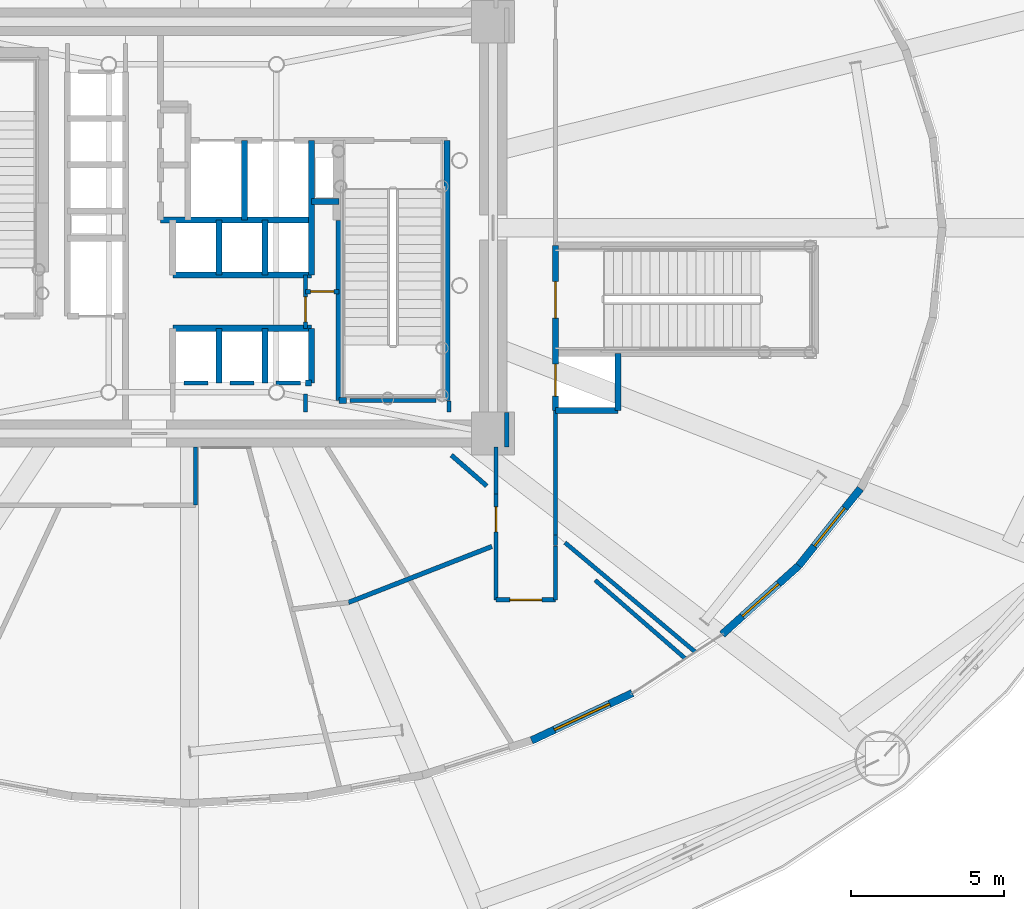
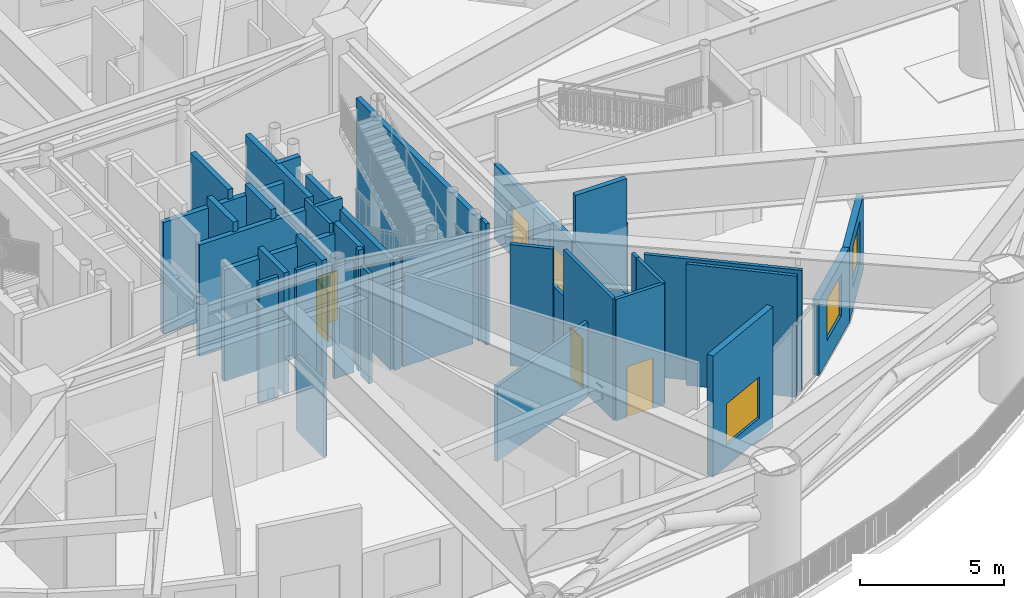
# One storey, part 24 of 39: 41 walls, 6 doors, 3 windows, 9 openings.
"""IFC4 building model written with IfcOpenShell, lengths in metres."""

import ifcopenshell
import ifcopenshell.guid

model = None  # the IFC model being written
_history = None  # IfcOwnerHistory: only IFC2X3 demands one
_inside = {}  # id of a spatial element -> (the spatial element, [elements in it])
_under = {}  # id of a project, library or spatial element -> (it, [spatial elements below it])
_declared = {}  # id of a project -> (the project, [libraries it declares])
_typed = {}  # id of a type object -> (the type object, [elements of that type])
_made_of = {}  # id of a material, layer set ... -> (it, [elements and type objects made of it])


def new_model(schema):
    """Start an empty IFC model of exactly this schema.

    Asked for "IFC4X3", IfcOpenShell would pick the latest addendum, in which some entities
    have other attributes; the version numbers below select the first issue.
    IFC2X3 requires an IfcOwnerHistory on every rooted entity: one is made here for all.
    """
    global model, _history
    if schema == "IFC4X3":
        model = ifcopenshell.file(schema_version=(4, 3, 0, 0))
    else:
        model = ifcopenshell.file(schema=schema)
    _inside.clear()
    _under.clear()
    _declared.clear()
    _typed.clear()
    _made_of.clear()
    _history = None
    if model.schema == "IFC2X3":
        org = make("IfcOrganization", Name="unknown")
        user = make(
            "IfcPersonAndOrganization",
            ThePerson=make("IfcPerson", FamilyName="unknown"),
            TheOrganization=org,
        )
        app = make(
            "IfcApplication",
            ApplicationDeveloper=org,
            Version="unknown",
            ApplicationFullName="unknown",
            ApplicationIdentifier="unknown",
        )
        _history = make(
            "IfcOwnerHistory",
            OwningUser=user,
            OwningApplication=app,
            ChangeAction="ADDED",
            CreationDate=0,
        )
    return model


def make(cls, **values):
    """One entity of the class cls with the attributes given. An attribute that is None is left unset."""
    return model.create_entity(
        cls, **{name: value for name, value in values.items() if value is not None}
    )


def rooted(cls, **values):
    """An entity with a GlobalId (a new one), such as an element, a storey or a relation."""
    return make(cls, GlobalId=ifcopenshell.guid.new(), OwnerHistory=_history, **values)


def si_unit(unit_type, name, prefix=None):
    """IfcSIUnit, for example si_unit("LENGTHUNIT", "METRE", prefix="MILLI")."""
    return make("IfcSIUnit", UnitType=unit_type, Prefix=prefix, Name=name)


def assignment(units):
    """IfcUnitAssignment: the units of a project."""
    return None if units is None else make("IfcUnitAssignment", Units=units)


def point(xyz):
    """IfcCartesianPoint."""
    return None if xyz is None else make("IfcCartesianPoint", Coordinates=xyz)


def direction(xyz):
    """IfcDirection."""
    return None if xyz is None else make("IfcDirection", DirectionRatios=xyz)


def frame(location, z_axis=None, x_axis=None):
    """IfcAxis2Placement3D, a coordinate frame: its origin and axes. An axis left out is left unset."""
    return make(
        "IfcAxis2Placement3D",
        Location=point(location),
        Axis=direction(z_axis),
        RefDirection=direction(x_axis),
    )


def frame_2d(location, x_axis=None):
    """IfcAxis2Placement2D, a coordinate frame in the plane: its origin and x axis."""
    return make(
        "IfcAxis2Placement2D", Location=point(location), RefDirection=direction(x_axis)
    )


def origin():
    """The frame at (0, 0, 0) with its axes left unset."""
    return frame((0.0, 0.0, 0.0))


def origin_2d():
    """The frame at (0, 0) in the plane with its x axis left unset."""
    return frame_2d((0.0, 0.0))


def place(relative_to, where):
    """IfcLocalPlacement: puts the frame where relative to a parent placement (None: the world)."""
    return make(
        "IfcLocalPlacement", PlacementRelTo=relative_to, RelativePlacement=where
    )


def context(
    kind, dimensions, precision=None, world=None, true_north=None, identifier=None
):
    """IfcGeometricRepresentationContext, for example the 3D "Model" context."""
    return make(
        "IfcGeometricRepresentationContext",
        ContextIdentifier=identifier,
        ContextType=kind,
        CoordinateSpaceDimension=dimensions,
        Precision=precision,
        WorldCoordinateSystem=world,
        TrueNorth=true_north,
    )


def subcontext(parent, identifier, kind, view, scale=None):
    """IfcGeometricRepresentationSubContext, for example "Body" below "Model"."""
    return make(
        "IfcGeometricRepresentationSubContext",
        ContextIdentifier=identifier,
        ContextType=kind,
        ParentContext=parent,
        TargetScale=scale,
        TargetView=view,
    )


def project(units=None, contexts=None):
    """IfcProject with its units and contexts."""
    return rooted(
        "IfcProject",
        Name="project",
        RepresentationContexts=contexts,
        UnitsInContext=assignment(units),
    )


def spatial(cls, under=None, at=None, **own):
    """A site, building, storey or space (cls), placed at a placement, below another one or the project."""
    s = rooted(cls, ObjectPlacement=at, **own)
    if under is not None:
        _under.setdefault(under.id(), (under, []))[1].append(s)
    return s


def profile(cls, at=None, kind="AREA", **sizes):
    """A parametric profile (cls). Its sizes go by their IFC names, for example OverallWidth=200.0."""
    return make(cls, ProfileType=kind, Position=at, **sizes)


def rectangle(**sizes):
    """IfcRectangleProfileDef."""
    return profile("IfcRectangleProfileDef", **sizes)


def extrude(swept, where, along, depth):
    """IfcExtrudedAreaSolid: the profile swept, set in the frame where, extruded along a direction by depth."""
    return make(
        "IfcExtrudedAreaSolid",
        SweptArea=swept,
        Position=where,
        ExtrudedDirection=direction(along),
        Depth=depth,
    )


def shape(context_of_items, identifier, shape_type, items):
    """IfcShapeRepresentation: the items that make up one representation, for example the "Body"."""
    return make(
        "IfcShapeRepresentation",
        ContextOfItems=context_of_items,
        RepresentationIdentifier=identifier,
        RepresentationType=shape_type,
        Items=items,
    )


def source(mapping_origin, context_of_items, identifier, shape_type, items):
    """IfcRepresentationMap: a shape defined once, which mapped items show again and again."""
    return make(
        "IfcRepresentationMap",
        MappingOrigin=mapping_origin,
        MappedRepresentation=shape(context_of_items, identifier, shape_type, items),
    )


def transform(
    local_origin,
    x_axis=None,
    y_axis=None,
    z_axis=None,
    scale=None,
    scale2=None,
    scale3=None,
    uniform=True,
):
    """IfcCartesianTransformationOperator3D, or its non-uniform kind. x_axis, y_axis, z_axis: its Axis1, 2, 3."""
    if uniform:
        return make(
            "IfcCartesianTransformationOperator3D",
            Axis1=direction(x_axis),
            Axis2=direction(y_axis),
            LocalOrigin=point(local_origin),
            Scale=scale,
            Axis3=direction(z_axis),
        )
    return make(
        "IfcCartesianTransformationOperator3DnonUniform",
        Axis1=direction(x_axis),
        Axis2=direction(y_axis),
        LocalOrigin=point(local_origin),
        Scale=scale,
        Axis3=direction(z_axis),
        Scale2=scale2,
        Scale3=scale3,
    )


def mapped(mapping_source, mapping_target):
    """IfcMappedItem: shows the shape of a source again, moved by a transform."""
    return make(
        "IfcMappedItem", MappingSource=mapping_source, MappingTarget=mapping_target
    )


def material(Name=None, Category=None):
    """IfcMaterial."""
    return make("IfcMaterial", Name=Name, Category=Category)


def layer(
    of_material, thickness, ventilated=None, Name=None, Category=None, Priority=None
):
    """IfcMaterialLayer: one layer of a wall or slab, of a material (None: an air gap)."""
    return make(
        "IfcMaterialLayer",
        Material=of_material,
        LayerThickness=thickness,
        IsVentilated=ventilated,
        Name=Name,
        Category=Category,
        Priority=Priority,
    )


def layer_set(layers, Name=None):
    """IfcMaterialLayerSet."""
    return make("IfcMaterialLayerSet", MaterialLayers=layers, LayerSetName=Name)


def made_of(thing, what):
    """Note that an element or type object is made of a material, layer set ...; save() writes the relation."""
    if what is not None:
        _made_of.setdefault(what.id(), (what, []))[1].append(thing)
    return thing


def type_object(cls, material=None, **own):
    """A type object (cls), such as IfcWallType, which elements share."""
    return made_of(rooted(cls, **own), material)


def element(
    cls,
    number,
    at=None,
    inside=None,
    cuts=None,
    type_object=None,
    material=None,
    context=None,
    identifier="Body",
    shape_type=None,
    held_by="IfcProductDefinitionShape",
    body=None,
    shapes=None,
    **own,
):
    """One element of the class cls, such as IfcWall. Its Tag is "e" and its number.

    at: its placement. inside: the storey or other place that contains it. cuts: it is an
    opening in that element (IfcRelVoidsElement). A single representation is given by context,
    identifier, shape_type and body (its items); several are given by shapes. held_by: the class
    of the entity that holds the representations. save() writes the other relations.
    """
    e = rooted(cls, Tag="e%d" % number, ObjectPlacement=at, **own)
    if body is not None:
        shapes = [shape(context, identifier, shape_type, body)]
    if shapes is not None:
        e.Representation = make(held_by, Representations=shapes)
    if inside is not None:
        _inside.setdefault(inside.id(), (inside, []))[1].append(e)
    if cuts is not None:
        rooted(
            "IfcRelVoidsElement", RelatingBuildingElement=cuts, RelatedOpeningElement=e
        )
    if type_object is not None:
        _typed.setdefault(type_object.id(), (type_object, []))[1].append(e)
    return made_of(e, material)


def fill(opening, filler):
    """IfcRelFillsElement: the door or window that sits in an opening."""
    return rooted(
        "IfcRelFillsElement",
        RelatingOpeningElement=opening,
        RelatedBuildingElement=filler,
    )


def aggregate(whole, parts):
    """IfcRelAggregates: a whole, such as a stair, and the parts it consists of."""
    return rooted("IfcRelAggregates", RelatingObject=whole, RelatedObjects=parts)


def save(model, path):
    """Write the relations noted so far, then the file.

    IfcRelAggregates (storeys below a building ...), IfcRelContainedInSpatialStructure (elements
    in a storey), IfcRelDefinesByType, IfcRelAssociatesMaterial and IfcRelDeclares: one each for
    every whole, place, type object, material and project.
    """
    for whole, parts in _under.values():
        aggregate(whole, parts)
    for where, things in _inside.values():
        rooted(
            "IfcRelContainedInSpatialStructure",
            RelatedElements=things,
            RelatingStructure=where,
        )
    for kind, things in _typed.values():
        rooted("IfcRelDefinesByType", RelatedObjects=things, RelatingType=kind)
    for what, things in _made_of.values():
        rooted("IfcRelAssociatesMaterial", RelatedObjects=things, RelatingMaterial=what)
    for by, libraries in _declared.values():
        rooted("IfcRelDeclares", RelatingContext=by, RelatedDefinitions=libraries)
    model.write(path)


model = new_model("IFC4")

# Units and contexts
model_context = context("Model", 3, precision=1e-05, world=origin(), true_north=direction((0.0, 1.0)))
body_context = subcontext(model_context, "Body", "Model", "MODEL_VIEW")
ifc_project = project(units=[si_unit("LENGTHUNIT", "METRE"), si_unit("AREAUNIT", "SQUARE_METRE"), si_unit("VOLUMEUNIT", "CUBIC_METRE"), si_unit("PLANEANGLEUNIT", "RADIAN"), si_unit("MASSUNIT", "GRAM", prefix="KILO")], contexts=[model_context])

# Site, building, storey
site_placement = place(None, origin())
site = spatial("IfcSite", under=ifc_project, at=site_placement, CompositionType="ELEMENT")
building_placement = place(site_placement, origin())
building = spatial("IfcBuilding", under=site, at=building_placement, Name="Linh Dai School and Residence Tower", CompositionType="ELEMENT")
storey_placement = place(building_placement, frame((0.0, 0.0, 27.0)))
storey = spatial("IfcBuildingStorey", under=building, at=storey_placement, Name="L06", CompositionType="ELEMENT", Elevation=27.0)

# Wall, opening, window
ifc_material_1 = material(Name="Precast Concrete B45 (C35/45)", Category="concrete")
ifc_layer_1 = layer(ifc_material_1, 0.25)
ifc_layer_set_1 = layer_set([ifc_layer_1], Name="Precast Concrete B45 (C35/45)")
wall_type_1 = type_object("IfcWallType", Name="EW-TC-250", PredefinedType="SOLIDWALL", material=ifc_layer_set_1)
wall_1_placement = place(storey_placement, frame((50.516357421875, 11.73779296875, 0.0), z_axis=(0.0, 0.0, 1.0), x_axis=(-0.905208052634, -0.424968682901, 0.0)))
wall_1 = element("IfcWall", 1, at=wall_1_placement, inside=storey, type_object=wall_type_1, Name="L06 Terracotta Exterior Wall 34", PredefinedType="SOLIDWALL", context=body_context, shape_type="SweptSolid", body=[
    extrude(rectangle(XDim=3.648681640625, YDim=0.25, at=frame_2d((1.82421875, 0.0))), origin(), (0.0, 0.0, 1.0), 5.14990234375),
])
opening_1_placement = place(wall_1_placement, frame((0.824462890625, 0.0, 0.89990234375)))
opening_1 = element("IfcOpeningElement", 2, at=opening_1_placement, cuts=wall_1, Name="Opening W1", PredefinedType="OPENING", context=body_context, shape_type="SweptSolid", body=[
    extrude(rectangle(XDim=2.0, YDim=1.75, at=origin_2d()), frame((1.0, 0.135009765625, 0.875), z_axis=(0.0, -1.0, 0.0), x_axis=(1.0, 0.0, 0.0)), (0.0, 0.0, 1.0), 0.27001953125),
])
ifc_material_2 = material(Name="Double Low-E Insulated Glazing", Category="glass")
window_type_1 = type_object("IfcWindowType", Name="WN-RES-2000x1750", PartitioningType="DOUBLE_PANEL_VERTICAL", PredefinedType="WINDOW", material=ifc_material_2)
shared_shape_1 = source(origin(), body_context, "Body", "SweptSolid", [
    extrude(rectangle(XDim=2.0, YDim=1.75, at=origin_2d()), frame((1.0, 0.030029296875, 0.875), z_axis=(0.0, -1.0, 0.0), x_axis=(1.0, 0.0, 0.0)), (0.0, 0.0, 1.0), 0.06005859375),
])
window_1_placement = place(opening_1_placement, origin())
window_1 = element("IfcWindow", 3, at=window_1_placement, inside=storey, type_object=window_type_1, Name="L06 Exterior Window 34.1", OverallHeight=1.75, OverallWidth=2.0, PartitioningType="DOUBLE_PANEL_VERTICAL", PredefinedType="WINDOW", context=body_context, shape_type="MappedRepresentation", body=[
    mapped(shared_shape_1, transform((0.0, 0.0, 0.0), x_axis=(1.0, 0.0, 0.0), y_axis=(0.0, 1.0, 0.0), z_axis=(0.0, 0.0, 1.0), scale=1.0)),
])
fill(opening_1, window_1)

wall_2_placement = place(storey_placement, frame((55.972900390625, 15.91796875, 0.0), z_axis=(0.0, 0.0, 1.0), x_axis=(-0.744436778288, -0.66769295573, 0.0)))
wall_2 = element("IfcWall", 4, at=wall_2_placement, inside=storey, type_object=wall_type_1, Name="L06 Terracotta Exterior Wall 36", PredefinedType="SOLIDWALL", context=body_context, shape_type="SweptSolid", body=[
    extrude(rectangle(XDim=3.375244140625, YDim=0.25, at=frame_2d((1.6875, 0.0))), origin(), (0.0, 0.0, 1.0), 3.18505859375),
])
opening_2_placement = place(wall_2_placement, frame((0.887939453125, 0.0, 0.89990234375)))
opening_2 = element("IfcOpeningElement", 5, at=opening_2_placement, cuts=wall_2, Name="Opening W2", PredefinedType="OPENING", context=body_context, shape_type="SweptSolid", body=[
    extrude(rectangle(XDim=1.60009765625, YDim=1.75, at=origin_2d()), frame((0.800048828125, 0.135009765625, 0.875), z_axis=(0.0, -1.0, 0.0), x_axis=(1.0, 0.0, 0.0)), (0.0, 0.0, 1.0), 0.27001953125),
])
window_type_2 = type_object("IfcWindowType", Name="WN-RES-1600x1750", PartitioningType="DOUBLE_PANEL_VERTICAL", PredefinedType="WINDOW", material=ifc_material_2)
shared_shape_2 = source(origin(), body_context, "Body", "SweptSolid", [
    extrude(rectangle(XDim=1.60009765625, YDim=1.75, at=origin_2d()), frame((0.800048828125, 0.030029296875, 0.875), z_axis=(0.0, -1.0, 0.0), x_axis=(1.0, 0.0, 0.0)), (0.0, 0.0, 1.0), 0.06005859375),
])
window_2_placement = place(opening_2_placement, origin())
window_2 = element("IfcWindow", 6, at=window_2_placement, inside=storey, type_object=window_type_2, Name="L06 Exterior Window 36.1", OverallHeight=1.75, OverallWidth=1.60009765625, PartitioningType="DOUBLE_PANEL_VERTICAL", PredefinedType="WINDOW", context=body_context, shape_type="MappedRepresentation", body=[
    mapped(shared_shape_2, transform((0.0, 0.0, 0.0), x_axis=(1.0, 0.0, 0.0), y_axis=(0.0, 1.0, 0.0), z_axis=(0.0, 0.0, 1.0), scale=1.0)),
])
fill(opening_2, window_2)

wall_3_placement = place(storey_placement, frame((57.992919921875, 18.443359375, 0.0), z_axis=(0.0, 0.0, 1.0), x_axis=(-0.624639806262, -0.780912999272, 0.0)))
wall_3 = element("IfcWall", 7, at=wall_3_placement, inside=storey, type_object=wall_type_1, Name="L06 Terracotta Exterior Wall 37", PredefinedType="SOLIDWALL", context=body_context, shape_type="SweptSolid", body=[
    extrude(rectangle(XDim=3.23388671875, YDim=0.25, at=frame_2d((1.616943359375, 0.0))), origin(), (0.0, 0.0, 1.0), 3.18505859375),
])
opening_3_placement = place(wall_3_placement, frame((0.817138671875, 0.0, 0.89990234375)))
opening_3 = element("IfcOpeningElement", 8, at=opening_3_placement, cuts=wall_3, Name="Opening W2", PredefinedType="OPENING", context=body_context, shape_type="SweptSolid", body=[
    extrude(rectangle(XDim=1.60009765625, YDim=1.75, at=origin_2d()), frame((0.800048828125, 0.135009765625, 0.875), z_axis=(0.0, -1.0, 0.0), x_axis=(1.0, 0.0, 0.0)), (0.0, 0.0, 1.0), 0.27001953125),
])
window_3_placement = place(opening_3_placement, origin())
window_3 = element("IfcWindow", 9, at=window_3_placement, inside=storey, type_object=window_type_2, Name="L06 Exterior Window 37.1", OverallHeight=1.75, OverallWidth=1.60009765625, PartitioningType="DOUBLE_PANEL_VERTICAL", PredefinedType="WINDOW", context=body_context, shape_type="MappedRepresentation", body=[
    mapped(shared_shape_2, transform((0.0, 0.0, 0.0), x_axis=(1.0, 0.0, 0.0), y_axis=(0.0, 1.0, 0.0), z_axis=(0.0, 0.0, 1.0), scale=1.0)),
])
fill(opening_3, window_3)

# Wall
ifc_material_3 = material(Name="Autoclaved Aerated Concrete Blockwork", Category="masonry")
ifc_layer_2 = layer(ifc_material_3, 0.135009765625)
ifc_layer_set_2 = layer_set([ifc_layer_2], Name="Autoclaved Aerated Concrete Blockwork")
wall_type_2 = type_object("IfcWallType", Name="IW-CORR-135-EI90", PredefinedType="PARTITIONING", material=ifc_layer_set_2)
wall_4_placement = place(storey_placement, frame((36.199951171875, 17.89990234375, 0.0), z_axis=(0.0, 0.0, 1.0), x_axis=(0.0, 1.0, 0.0)))
element("IfcWall", 10, at=wall_4_placement, inside=storey, type_object=wall_type_2, Name="L06 Interior Partition Wall 038", PredefinedType="PARTITIONING", context=body_context, shape_type="SweptSolid", body=[
    extrude(rectangle(XDim=1.900146484375, YDim=0.135009765625, at=frame_2d((0.9501953125, 0.0))), origin(), (0.0, 0.0, 1.0), 3.18505859375),
])

# Wall, opening, door
wall_5_placement = place(storey_placement, frame((39.800048828125, 23.699951171875, 0.0), z_axis=(0.0, 0.0, 1.0), x_axis=(0.0, 1.0, 0.0)))
wall_5 = element("IfcWall", 11, at=wall_5_placement, inside=storey, type_object=wall_type_2, Name="L06 Interior Partition Wall 047", PredefinedType="PARTITIONING", context=body_context, shape_type="SweptSolid", body=[
    extrude(rectangle(XDim=1.75, YDim=0.135009765625, at=frame_2d((0.875, 0.0))), origin(), (0.0, 0.0, 1.0), 5.14990234375),
])
opening_4_placement = place(wall_5_placement, frame((0.2099609375, 0.0, 0.0)))
opening_4 = element("IfcOpeningElement", 12, at=opening_4_placement, cuts=wall_5, Name="Opening D06", PredefinedType="OPENING", context=body_context, shape_type="SweptSolid", body=[
    extrude(rectangle(XDim=0.820068359375, YDim=2.10009765625, at=origin_2d()), frame((0.41015625, 0.07763671875, 1.050048828125), z_axis=(0.0, -1.0, 0.0), x_axis=(1.0, 0.0, 0.0)), (0.0, 0.0, 1.0), 0.155029296875),
])
ifc_material_4 = material(Name="Moisture-Resistant Timber Bathroom Door", Category="wood")
door_type_1 = type_object("IfcDoorType", Name="DR-WET-820x2100", OperationType="NOTDEFINED", PredefinedType="DOOR", material=ifc_material_4)
shared_shape_3 = source(origin(), body_context, "Body", "SweptSolid", [
    extrude(rectangle(XDim=0.820068359375, YDim=2.10009765625, at=origin_2d()), frame((0.41015625, 0.02490234375, 1.050048828125), z_axis=(0.0, -1.0, 0.0), x_axis=(1.0, 0.0, 0.0)), (0.0, 0.0, 1.0), 0.050048828125),
])
door_1_placement = place(opening_4_placement, origin())
door_1 = element("IfcDoor", 13, at=door_1_placement, inside=storey, type_object=door_type_1, Name="L06 SE Metering Closet Door", OperationType="SINGLE_SWING_LEFT", OverallHeight=2.10009765625, OverallWidth=0.820068359375, PredefinedType="DOOR", context=body_context, shape_type="MappedRepresentation", body=[
    mapped(shared_shape_3, transform((0.0, 0.0, 0.0), x_axis=(1.0, 0.0, 0.0), y_axis=(0.0, 1.0, 0.0), z_axis=(0.0, 0.0, 1.0), scale=1.0)),
])
fill(opening_4, door_1)

wall_6_placement = place(storey_placement, frame((46.050048828125, 14.800048828125, 0.0), z_axis=(0.0, 0.0, 1.0), x_axis=(0.0, 1.0, 0.0)))
wall_6 = element("IfcWall", 14, at=wall_6_placement, inside=storey, type_object=wall_type_2, Name="L06 Interior Partition Wall 058", PredefinedType="PARTITIONING", context=body_context, shape_type="SweptSolid", body=[
    extrude(rectangle(XDim=3.463623046875, YDim=0.135009765625, at=frame_2d((1.73193359375, 0.0))), origin(), (0.0, 0.0, 1.0), 5.14990234375),
])
opening_5_placement = place(wall_6_placement, frame((2.228271484375, 0.0, 0.0)))
opening_5 = element("IfcOpeningElement", 15, at=opening_5_placement, cuts=wall_6, Name="Opening D06", PredefinedType="OPENING", context=body_context, shape_type="SweptSolid", body=[
    extrude(rectangle(XDim=0.820068359375, YDim=2.10009765625, at=origin_2d()), frame((0.41015625, 0.07763671875, 1.050048828125), z_axis=(0.0, -1.0, 0.0), x_axis=(1.0, 0.0, 0.0)), (0.0, 0.0, 1.0), 0.155029296875),
])
door_2_placement = place(opening_5_placement, origin())
door_2 = element("IfcDoor", 16, at=door_2_placement, inside=storey, type_object=door_type_1, Name="L06 Pavilion Girls WC Door", OperationType="SINGLE_SWING_RIGHT", OverallHeight=2.10009765625, OverallWidth=0.820068359375, PredefinedType="DOOR", context=body_context, shape_type="MappedRepresentation", body=[
    mapped(shared_shape_3, transform((0.0, 0.0, 0.0), x_axis=(1.0, 0.0, 0.0), y_axis=(0.0, 1.0, 0.0), z_axis=(0.0, 0.0, 1.0), scale=1.0)),
])
fill(opening_5, door_2)

wall_7_placement = place(storey_placement, frame((46.050048828125, 14.800048828125, 0.0), z_axis=(0.0, 0.0, 1.0), x_axis=(1.0, 0.0, 0.0)))
wall_7 = element("IfcWall", 17, at=wall_7_placement, inside=storey, type_object=wall_type_2, Name="L06 Interior Partition Wall 059", PredefinedType="PARTITIONING", context=body_context, shape_type="SweptSolid", body=[
    extrude(rectangle(XDim=1.949951171875, YDim=0.135009765625, at=frame_2d((0.97509765625, 0.0))), origin(), (0.0, 0.0, 1.0), 5.14990234375),
])
opening_6_placement = place(wall_7_placement, frame((0.449951171875, 0.0, 0.0)))
opening_6 = element("IfcOpeningElement", 18, at=opening_6_placement, cuts=wall_7, Name="Opening D04", PredefinedType="OPENING", context=body_context, shape_type="SweptSolid", body=[
    extrude(rectangle(XDim=1.050048828125, YDim=2.14990234375, at=origin_2d()), frame((0.52490234375, 0.07763671875, 1.074951171875), z_axis=(0.0, -1.0, 0.0), x_axis=(1.0, 0.0, 0.0)), (0.0, 0.0, 1.0), 0.155029296875),
])
ifc_material_5 = material(Name="Acoustic Vision-Panel Timber Classroom Door", Category="wood")
door_type_2 = type_object("IfcDoorType", Name="DR-SCH-1050x2150-FD60S", OperationType="NOTDEFINED", PredefinedType="DOOR", material=ifc_material_5)
shared_shape_4 = source(origin(), body_context, "Body", "SweptSolid", [
    extrude(rectangle(XDim=1.050048828125, YDim=2.14990234375, at=origin_2d()), frame((0.52490234375, 0.02490234375, 1.074951171875), z_axis=(0.0, -1.0, 0.0), x_axis=(1.0, 0.0, 0.0)), (0.0, 0.0, 1.0), 0.050048828125),
])
door_3_placement = place(opening_6_placement, origin())
door_3 = element("IfcDoor", 19, at=door_3_placement, inside=storey, type_object=door_type_2, Name="L06 Resource Study Room GWC Door", OperationType="SINGLE_SWING_LEFT", OverallHeight=2.14990234375, OverallWidth=1.050048828125, PredefinedType="DOOR", context=body_context, shape_type="MappedRepresentation", body=[
    mapped(shared_shape_4, transform((0.0, 0.0, 0.0), x_axis=(1.0, 0.0, 0.0), y_axis=(0.0, 1.0, 0.0), z_axis=(0.0, 0.0, 1.0), scale=1.0)),
])
fill(opening_6, door_3)

# Walls
wall_8_placement = place(storey_placement, frame((48.0, 14.800048828125, 0.0), z_axis=(0.0, 0.0, 1.0), x_axis=(0.0, 1.0, 0.0)))
element("IfcWall", 20, at=wall_8_placement, inside=storey, type_object=wall_type_2, Name="L06 Interior Partition Wall 061", PredefinedType="PARTITIONING", context=body_context, shape_type="SweptSolid", body=[
    extrude(rectangle(XDim=1.7685546875, YDim=0.135009765625, at=frame_2d((0.88427734375, 0.0))), origin(), (0.0, 0.0, 1.0), 5.14990234375),
])
wall_9_placement = place(storey_placement, frame((48.0, 16.930908203125, 0.0), z_axis=(0.0, 0.0, 1.0), x_axis=(0.0, 1.0, 0.0)))
element("IfcWall", 21, at=wall_9_placement, inside=storey, type_object=wall_type_2, Name="L06 Interior Partition Wall 062", PredefinedType="PARTITIONING", context=body_context, shape_type="SweptSolid", body=[
    extrude(rectangle(XDim=4.069091796875, YDim=0.135009765625, at=frame_2d((2.03466796875, 0.0))), origin(), (0.0, 0.0, 1.0), 3.18505859375),
])
wall_10_placement = place(storey_placement, frame((44.080078125, 21.330078125, 0.0), z_axis=(0.0, 0.0, 1.0), x_axis=(-1.0, 0.0, 0.0)))
element("IfcWall", 22, at=wall_10_placement, inside=storey, type_object=wall_type_2, Name="L06 Interior Partition Wall 070", PredefinedType="PARTITIONING", context=body_context, shape_type="SweptSolid", body=[
    extrude(rectangle(XDim=2.820068359375, YDim=0.135009765625, at=frame_2d((1.41015625, 0.0))), origin(), (0.0, 0.0, 1.0), 4.68505859375),
])
wall_11_placement = place(storey_placement, frame((36.60009765625, 21.89990234375, 0.0), z_axis=(0.0, 0.0, 1.0), x_axis=(-1.0, 0.0, 0.0)))
element("IfcWall", 23, at=wall_11_placement, inside=storey, type_object=wall_type_2, Name="L06 Interior Partition Wall 071", PredefinedType="PARTITIONING", context=body_context, shape_type="SweptSolid", body=[
    extrude(rectangle(XDim=0.7900390625, YDim=0.135009765625, at=frame_2d((0.39501953125, 0.0))), origin(), (0.0, 0.0, 1.0), 5.14990234375),
])
wall_12_placement = place(storey_placement, frame((38.1201171875, 21.89990234375, 0.0), z_axis=(0.0, 0.0, 1.0), x_axis=(-1.0, 0.0, 0.0)))
element("IfcWall", 24, at=wall_12_placement, inside=storey, type_object=wall_type_2, Name="L06 Interior Partition Wall 072", PredefinedType="PARTITIONING", context=body_context, shape_type="SweptSolid", body=[
    extrude(rectangle(XDim=0.800048828125, YDim=0.135009765625, at=frame_2d((0.39990234375, 0.0))), origin(), (0.0, 0.0, 1.0), 5.14990234375),
])
wall_13_placement = place(storey_placement, frame((39.639892578125, 21.89990234375, 0.0), z_axis=(0.0, 0.0, 1.0), x_axis=(-1.0, 0.0, 0.0)))
element("IfcWall", 25, at=wall_13_placement, inside=storey, type_object=wall_type_2, Name="L06 Interior Partition Wall 073", PredefinedType="PARTITIONING", context=body_context, shape_type="SweptSolid", body=[
    extrude(rectangle(XDim=0.7998046875, YDim=0.135009765625, at=frame_2d((0.39990234375, 0.0))), origin(), (0.0, 0.0, 1.0), 4.735107421875),
])
wall_14_placement = place(storey_placement, frame((39.800048828125, 20.9599609375, 0.0), z_axis=(0.0, 0.0, 1.0), x_axis=(0.0, 1.0, 0.0)))
element("IfcWall", 26, at=wall_14_placement, inside=storey, type_object=wall_type_2, Name="L06 Interior Partition Wall 075", PredefinedType="PARTITIONING", context=body_context, shape_type="SweptSolid", body=[
    extrude(rectangle(XDim=0.580078125, YDim=0.135009765625, at=frame_2d((0.2900390625, 0.0))), origin(), (0.0, 0.0, 1.0), 4.68505859375),
])
wall_15_placement = place(storey_placement, frame((44.5, 20.9599609375, 0.0), z_axis=(0.0, 0.0, 1.0), x_axis=(0.0, 1.0, 0.0)))
element("IfcWall", 27, at=wall_15_placement, inside=storey, type_object=wall_type_2, Name="L06 Interior Partition Wall 077", PredefinedType="PARTITIONING", context=body_context, shape_type="SweptSolid", body=[
    extrude(rectangle(XDim=0.360107421875, YDim=0.135009765625, at=frame_2d((0.18017578125, 0.0))), origin(), (0.0, 0.0, 1.0), 5.14990234375),
])
wall_16_placement = place(storey_placement, frame((48.0, 16.9208984375, 0.0), z_axis=(0.0, 0.0, 1.0), x_axis=(0.0, -1.0, 0.0)))
element("IfcWall", 28, at=wall_16_placement, inside=storey, type_object=wall_type_2, Name="L06 Interior Partition Wall 080", PredefinedType="PARTITIONING", context=body_context, shape_type="SweptSolid", body=[
    extrude(rectangle(XDim=0.34228515625, YDim=0.135009765625, at=frame_2d((0.171142578125, 0.0))), origin(), (0.0, 0.0, 1.0), 5.14990234375),
])
wall_17_placement = place(storey_placement, frame((46.050048828125, 18.273681640625, 0.0), z_axis=(0.0, 0.0, 1.0), x_axis=(0.0, 1.0, 0.0)))
element("IfcWall", 29, at=wall_17_placement, inside=storey, type_object=wall_type_2, Name="L06 Interior Partition Wall 081", PredefinedType="PARTITIONING", context=body_context, shape_type="SweptSolid", body=[
    extrude(rectangle(XDim=1.5263671875, YDim=0.135009765625, at=frame_2d((0.76318359375, 0.0))), origin(), (0.0, 0.0, 1.0), 3.18505859375),
])
wall_18_placement = place(storey_placement, frame((46.39990234375, 19.800048828125, 0.0), z_axis=(0.0, 0.0, 1.0), x_axis=(0.0, 1.0, 0.0)))
element("IfcWall", 30, at=wall_18_placement, inside=storey, type_object=wall_type_2, Name="L06 Interior Partition Wall 082", PredefinedType="PARTITIONING", context=body_context, shape_type="SweptSolid", body=[
    extrude(rectangle(XDim=1.139892578125, YDim=0.135009765625, at=frame_2d((0.56982421875, 0.0))), origin(), (0.0, 0.0, 1.0), 5.14990234375),
])
wall_19_placement = place(storey_placement, frame((52.583740234375, 13.084716796875, 0.0), z_axis=(0.0, 0.0, 1.0), x_axis=(-0.766040782865, 0.642791971782, 0.0)))
element("IfcWall", 31, at=wall_19_placement, inside=storey, type_object=wall_type_2, Name="L06 Interior Partition Wall 097", PredefinedType="PARTITIONING", context=body_context, shape_type="SweptSolid", body=[
    extrude(rectangle(XDim=5.58203125, YDim=0.135009765625, at=frame_2d((2.791015625, 0.0))), origin(), (0.0, 0.0, 1.0), 5.14990234375),
])
wall_20_placement = place(storey_placement, frame((49.29736328125, 15.440673828125, 0.0), z_axis=(0.0, 0.0, 1.0), x_axis=(0.754722190452, -0.656044522299, 0.0)))
element("IfcWall", 32, at=wall_20_placement, inside=storey, type_object=wall_type_2, Name="L06 Interior Partition Wall 099", PredefinedType="PARTITIONING", context=body_context, shape_type="SweptSolid", body=[
    extrude(rectangle(XDim=3.9189453125, YDim=0.135009765625, at=frame_2d((1.95947265625, 0.0))), origin(), (0.0, 0.0, 1.0), 5.14990234375),
])

# Wall, opening, door
ifc_layer_3 = layer(ifc_material_3, 0.14990234375)
ifc_layer_set_3 = layer_set([ifc_layer_3], Name="Autoclaved Aerated Concrete Blockwork")
wall_type_3 = type_object("IfcWallType", Name="IW-SCH-150-EI60", PredefinedType="PARTITIONING", material=ifc_layer_set_3)
wall_21_placement = place(storey_placement, frame((39.800048828125, 24.89990234375, 0.0), z_axis=(0.0, 0.0, 1.0), x_axis=(1.0, 0.0, 0.0)))
wall_21 = element("IfcWall", 33, at=wall_21_placement, inside=storey, type_object=wall_type_3, Name="L06 Interior Partition Wall 048", PredefinedType="PARTITIONING", context=body_context, shape_type="SweptSolid", body=[
    extrude(rectangle(XDim=1.099853515625, YDim=0.14990234375, at=frame_2d((0.5498046875, 0.0))), origin(), (0.0, 0.0, 1.0), 5.14990234375),
])
opening_7_placement = place(wall_21_placement, frame((0.169921875, 0.0, 0.0)))
opening_7 = element("IfcOpeningElement", 34, at=opening_7_placement, cuts=wall_21, Name="Opening D08", PredefinedType="OPENING", context=body_context, shape_type="SweptSolid", body=[
    extrude(rectangle(XDim=0.760009765625, YDim=2.10009765625, at=origin_2d()), frame((0.3798828125, 0.0849609375, 1.050048828125), z_axis=(0.0, -1.0, 0.0), x_axis=(1.0, 0.0, 0.0)), (0.0, 0.0, 1.0), 0.169921875),
])
ifc_material_6 = material(Name="Engineered Timber Closet and Study Door", Category="wood")
door_type_3 = type_object("IfcDoorType", Name="DR-CMP-760x2100", OperationType="NOTDEFINED", PredefinedType="DOOR", material=ifc_material_6)
shared_shape_5 = source(origin(), body_context, "Body", "SweptSolid", [
    extrude(rectangle(XDim=0.760009765625, YDim=2.10009765625, at=origin_2d()), frame((0.3798828125, 0.02490234375, 1.050048828125), z_axis=(0.0, -1.0, 0.0), x_axis=(1.0, 0.0, 0.0)), (0.0, 0.0, 1.0), 0.050048828125),
])
door_4_placement = place(opening_7_placement, origin())
door_4 = element("IfcDoor", 35, at=door_4_placement, inside=storey, type_object=door_type_3, Name="L06 NE Cleaners Store Door", OperationType="SINGLE_SWING_RIGHT", OverallHeight=2.10009765625, OverallWidth=0.760009765625, PredefinedType="DOOR", context=body_context, shape_type="MappedRepresentation", body=[
    mapped(shared_shape_5, transform((0.0, 0.0, 0.0), x_axis=(1.0, 0.0, 0.0), y_axis=(0.0, 1.0, 0.0), z_axis=(0.0, 0.0, 1.0), scale=1.0)),
])
fill(opening_7, door_4)

# Walls
wall_22_placement = place(storey_placement, frame((41.211181640625, 14.71240234375, 0.0), z_axis=(0.0, 0.0, 1.0), x_axis=(0.931537254234, 0.363645904657, 0.0)))
element("IfcWall", 36, at=wall_22_placement, inside=storey, type_object=wall_type_3, Name="L06 Interior Partition Wall 055", PredefinedType="PARTITIONING", context=body_context, shape_type="SweptSolid", body=[
    extrude(rectangle(XDim=5.046630859375, YDim=0.14990234375, at=frame_2d((2.5234375, 0.0))), origin(), (0.0, 0.0, 1.0), 3.18505859375),
])
wall_23_placement = place(storey_placement, frame((44.581787109375, 19.5400390625, 0.0), z_axis=(0.0, 0.0, 1.0), x_axis=(0.754677286449, -0.656096176881, 0.0)))
element("IfcWall", 37, at=wall_23_placement, inside=storey, type_object=wall_type_3, Name="L06 Interior Partition Wall 098", PredefinedType="PARTITIONING", context=body_context, shape_type="SweptSolid", body=[
    extrude(rectangle(XDim=1.537841796875, YDim=0.14990234375, at=frame_2d((0.76904296875, 0.0))), origin(), (0.0, 0.0, 1.0), 5.14990234375),
])
ifc_material_7 = material(Name="Concrete B45 (C35/45)", Category="concrete")
ifc_layer_4 = layer(ifc_material_7, 0.199951171875)
ifc_layer_set_4 = layer_set([ifc_layer_4], Name="Concrete B45 (C35/45)")
wall_type_4 = type_object("IfcWallType", Name="IW-SHAFT-200-EI120", PredefinedType="PARTITIONING", material=ifc_layer_set_4)
wall_24_placement = place(storey_placement, frame((35.050048828125, 27.25, 0.0), z_axis=(0.0, 0.0, 1.0), x_axis=(1.0, 0.0, 0.0)))
element("IfcWall", 38, at=wall_24_placement, inside=storey, type_object=wall_type_4, Name="L06 Interior Partition Wall 027", PredefinedType="PARTITIONING", context=body_context, shape_type="SweptSolid", body=[
    extrude(rectangle(XDim=4.949951171875, YDim=0.199951171875, at=frame_2d((2.47509765625, 0.0))), origin(), (0.0, 0.0, 1.0), 4.735107421875),
])
for number, where, z_axis, x_axis, name in (
    (39, (35.449951171875, 23.699951171875, 0.0), (0.0, 0.0, 1.0), (1.0, 0.0, 0.0), "L06 Interior Partition Wall 033"),
    (40, (35.449951171875, 25.449951171875, 0.0), (0.0, 0.0, 1.0), (1.0, 0.0, 0.0), "L06 Interior Partition Wall 035"),
):
    element("IfcWall", number, at=place(storey_placement, frame(where, z_axis=z_axis, x_axis=x_axis)), inside=storey, type_object=wall_type_4, Name=name, PredefinedType="PARTITIONING", context=body_context, shape_type="SweptSolid", body=[
        extrude(rectangle(XDim=4.550048828125, YDim=0.199951171875, at=frame_2d((2.27490234375, 0.0))), origin(), (0.0, 0.0, 1.0), 4.735107421875),
    ])
for number, where, z_axis, x_axis, name in (
    (41, (36.9599609375, 21.89990234375, 0.0), (0.0, 0.0, 1.0), (0.0, 1.0, 0.0), "L06 Interior Partition Wall 039"),
    (42, (36.9599609375, 25.449951171875, 0.0), (0.0, 0.0, 1.0), (0.0, 1.0, 0.0), "L06 Interior Partition Wall 040"),
):
    element("IfcWall", number, at=place(storey_placement, frame(where, z_axis=z_axis, x_axis=x_axis)), inside=storey, type_object=wall_type_4, Name=name, PredefinedType="PARTITIONING", context=body_context, shape_type="SweptSolid", body=[
        extrude(rectangle(XDim=1.800048828125, YDim=0.199951171875, at=frame_2d((0.89990234375, 0.0))), origin(), (0.0, 0.0, 1.0), 5.14990234375),
    ])
wall_25_placement = place(storey_placement, frame((37.800048828125, 27.25, 0.0), z_axis=(0.0, 0.0, 1.0), x_axis=(0.0, 1.0, 0.0)))
element("IfcWall", 43, at=wall_25_placement, inside=storey, type_object=wall_type_4, Name="L06 Interior Partition Wall 041", PredefinedType="PARTITIONING", context=body_context, shape_type="SweptSolid", body=[
    extrude(rectangle(XDim=2.60009765625, YDim=0.199951171875, at=frame_2d((1.300048828125, 0.0))), origin(), (0.0, 0.0, 1.0), 5.14990234375),
])
for number, where, z_axis, x_axis, name in (
    (44, (38.47998046875, 21.89990234375, 0.0), (0.0, 0.0, 1.0), (0.0, 1.0, 0.0), "L06 Interior Partition Wall 043"),
    (45, (38.47998046875, 25.449951171875, 0.0), (0.0, 0.0, 1.0), (0.0, 1.0, 0.0), "L06 Interior Partition Wall 044"),
):
    element("IfcWall", number, at=place(storey_placement, frame(where, z_axis=z_axis, x_axis=x_axis)), inside=storey, type_object=wall_type_4, Name=name, PredefinedType="PARTITIONING", context=body_context, shape_type="SweptSolid", body=[
        extrude(rectangle(XDim=1.800048828125, YDim=0.199951171875, at=frame_2d((0.89990234375, 0.0))), origin(), (0.0, 0.0, 1.0), 5.14990234375),
    ])
wall_26_placement = place(storey_placement, frame((39.800048828125, 21.89990234375, 0.0), z_axis=(0.0, 0.0, 1.0), x_axis=(1.0, 0.0, 0.0)))
element("IfcWall", 46, at=wall_26_placement, inside=storey, type_object=wall_type_4, Name="L06 Interior Partition Wall 046", PredefinedType="PARTITIONING", context=body_context, shape_type="SweptSolid", body=[
    extrude(rectangle(XDim=0.199951171875, YDim=0.199951171875, at=frame_2d((0.10009765625, 0.0))), origin(), (0.0, 0.0, 1.0), 5.14990234375),
])
wall_27_placement = place(storey_placement, frame((40.0, 21.89990234375, 0.0), z_axis=(0.0, 0.0, 1.0), x_axis=(0.0, 1.0, 0.0)))
element("IfcWall", 47, at=wall_27_placement, inside=storey, type_object=wall_type_4, Name="L06 Interior Partition Wall 049", PredefinedType="PARTITIONING", context=body_context, shape_type="SweptSolid", body=[
    extrude(rectangle(XDim=1.800048828125, YDim=0.199951171875, at=frame_2d((0.89990234375, 0.0))), origin(), (0.0, 0.0, 1.0), 5.14990234375),
])
wall_28_placement = place(storey_placement, frame((40.0, 25.449951171875, 0.0), z_axis=(0.0, 0.0, 1.0), x_axis=(0.0, 1.0, 0.0)))
element("IfcWall", 48, at=wall_28_placement, inside=storey, type_object=wall_type_4, Name="L06 Interior Partition Wall 050", PredefinedType="PARTITIONING", context=body_context, shape_type="SweptSolid", body=[
    extrude(rectangle(XDim=4.400146484375, YDim=0.199951171875, at=frame_2d((2.2001953125, 0.0))), origin(), (0.0, 0.0, 1.0), 5.14990234375),
])
wall_29_placement = place(storey_placement, frame((40.0, 27.85009765625, 0.0), z_axis=(0.0, 0.0, 1.0), x_axis=(1.0, 0.0, 0.0)))
element("IfcWall", 49, at=wall_29_placement, inside=storey, type_object=wall_type_4, Name="L06 Interior Partition Wall 051", PredefinedType="PARTITIONING", context=body_context, shape_type="SweptSolid", body=[
    extrude(rectangle(XDim=0.89990234375, YDim=0.199951171875, at=frame_2d((0.449951171875, 0.0))), origin(), (0.0, 0.0, 1.0), 5.14990234375),
])
wall_30_placement = place(storey_placement, frame((40.89990234375, 21.330078125, 0.0), z_axis=(0.0, 0.0, 1.0), x_axis=(0.0, 1.0, 0.0)))
element("IfcWall", 50, at=wall_30_placement, inside=storey, type_object=wall_type_4, Name="L06 Interior Partition Wall 053", PredefinedType="PARTITIONING", context=body_context, shape_type="SweptSolid", body=[
    extrude(rectangle(XDim=5.909912109375, YDim=0.199951171875, at=frame_2d((2.955078125, 0.0))), origin(), (0.0, 0.0, 1.0), 4.68505859375),
])
wall_31_placement = place(storey_placement, frame((40.89990234375, 21.330078125, 0.0), z_axis=(0.0, 0.0, 1.0), x_axis=(1.0, 0.0, 0.0)))
element("IfcWall", 51, at=wall_31_placement, inside=storey, type_object=wall_type_4, Name="L06 Interior Partition Wall 054", PredefinedType="PARTITIONING", context=body_context, shape_type="SweptSolid", body=[
    extrude(rectangle(XDim=0.25, YDim=0.199951171875, at=frame_2d((0.125, 0.0))), origin(), (0.0, 0.0, 1.0), 4.68505859375),
])
wall_32_placement = place(storey_placement, frame((44.43994140625, 21.330078125, 0.0), z_axis=(0.0, 0.0, 1.0), x_axis=(0.0, 1.0, 0.0)))
element("IfcWall", 52, at=wall_32_placement, inside=storey, type_object=wall_type_4, Name="L06 Interior Partition Wall 056", PredefinedType="PARTITIONING", context=body_context, shape_type="SweptSolid", body=[
    extrude(rectangle(XDim=8.52001953125, YDim=0.199951171875, at=frame_2d((4.260009765625, 0.0))), origin(), (0.0, 0.0, 1.0), 5.14990234375),
])

# Wall, openings, doors
wall_33_placement = place(storey_placement, frame((48.0, 21.010009765625, 0.0), z_axis=(0.0, 0.0, 1.0), x_axis=(0.0, 1.0, 0.0)))
wall_33 = element("IfcWall", 53, at=wall_33_placement, inside=storey, type_object=wall_type_4, Name="L06 Interior Partition Wall 063", PredefinedType="PARTITIONING", context=body_context, shape_type="SweptSolid", body=[
    extrude(rectangle(XDim=5.409912109375, YDim=0.199951171875, at=frame_2d((2.705078125, 0.0))), origin(), (0.0, 0.0, 1.0), 3.18505859375),
])
opening_8_placement = place(wall_33_placement, frame((3.02001953125, 0.0, 0.0)))
opening_8 = element("IfcOpeningElement", 54, at=opening_8_placement, cuts=wall_33, Name="Opening D01", PredefinedType="OPENING", context=body_context, shape_type="SweptSolid", body=[
    extrude(rectangle(XDim=1.199951171875, YDim=2.14990234375, at=origin_2d()), frame((0.60009765625, 0.10986328125, 1.074951171875), z_axis=(0.0, -1.0, 0.0), x_axis=(1.0, 0.0, 0.0)), (0.0, 0.0, 1.0), 0.219970703125),
])
opening_9_placement = place(wall_33_placement, frame((0.465087890625, 0.0, 0.0)))
opening_9 = element("IfcOpeningElement", 55, at=opening_9_placement, cuts=wall_33, Name="Opening LD-SL2", PredefinedType="OPENING", context=body_context, shape_type="SweptSolid", body=[
    extrude(rectangle(XDim=1.050048828125, YDim=2.14990234375, at=origin_2d()), frame((0.52490234375, 0.10986328125, 1.074951171875), z_axis=(0.0, -1.0, 0.0), x_axis=(1.0, 0.0, 0.0)), (0.0, 0.0, 1.0), 0.219970703125),
])
ifc_material_8 = material(Name="Fire-Rated Steel Door Leaf", Category="steel")
door_type_4 = type_object("IfcDoorType", Name="DR-STAIR-1200x2150-FD90S", OperationType="NOTDEFINED", PredefinedType="DOOR", material=ifc_material_8)
shared_shape_6 = source(origin(), body_context, "Body", "SweptSolid", [
    extrude(rectangle(XDim=1.199951171875, YDim=2.14990234375, at=origin_2d()), frame((0.60009765625, 0.02490234375, 1.074951171875), z_axis=(0.0, -1.0, 0.0), x_axis=(1.0, 0.0, 0.0)), (0.0, 0.0, 1.0), 0.050048828125),
])
door_5_placement = place(opening_8_placement, origin())
door_5 = element("IfcDoor", 56, at=door_5_placement, inside=storey, type_object=door_type_4, Name="L06 Exit Stair STS2 Door", OperationType="SINGLE_SWING_RIGHT", OverallHeight=2.14990234375, OverallWidth=1.199951171875, PredefinedType="DOOR", context=body_context, shape_type="MappedRepresentation", body=[
    mapped(shared_shape_6, transform((0.0, 0.0, 0.0), x_axis=(1.0, 0.0, 0.0), y_axis=(0.0, 1.0, 0.0), z_axis=(0.0, 0.0, 1.0), scale=1.0)),
])
fill(opening_8, door_5)
ifc_material_9 = material(Name="Brushed Stainless Steel Lift Landing Door", Category="steel")
door_type_5 = type_object("IfcDoorType", Name="DR-LD-PASS-1050x2150", OperationType="DOUBLE_DOOR_SLIDING", PredefinedType="USERDEFINED", material=ifc_material_9)
shared_shape_7 = source(origin(), body_context, "Body", "SweptSolid", [
    extrude(rectangle(XDim=1.050048828125, YDim=2.14990234375, at=origin_2d()), frame((0.52490234375, 0.02490234375, 1.074951171875), z_axis=(0.0, -1.0, 0.0), x_axis=(1.0, 0.0, 0.0)), (0.0, 0.0, 1.0), 0.050048828125),
])
door_6_placement = place(opening_9_placement, origin())
door_6 = element("IfcDoor", 57, at=door_6_placement, inside=storey, type_object=door_type_5, Name="L06 Lift SL2 Sliding Landing Door", ObjectType="LANDING DOOR", OperationType="DOUBLE_DOOR_SLIDING", OverallHeight=2.14990234375, OverallWidth=1.050048828125, PredefinedType="USERDEFINED", context=body_context, shape_type="MappedRepresentation", body=[
    mapped(shared_shape_7, transform((0.0, 0.0, 0.0), x_axis=(1.0, 0.0, 0.0), y_axis=(0.0, 1.0, 0.0), z_axis=(0.0, 0.0, 1.0), scale=1.0)),
])
fill(opening_9, door_6)

# Walls
wall_34_placement = place(storey_placement, frame((48.0, 21.0, 0.0), z_axis=(0.0, 0.0, 1.0), x_axis=(1.0, 0.0, 0.0)))
element("IfcWall", 58, at=wall_34_placement, inside=storey, type_object=wall_type_4, Name="L06 Interior Partition Wall 064", PredefinedType="PARTITIONING", context=body_context, shape_type="SweptSolid", body=[
    extrude(rectangle(XDim=2.050048828125, YDim=0.199951171875, at=frame_2d((1.02490234375, 0.0))), origin(), (0.0, 0.0, 1.0), 5.14990234375),
])
wall_35_placement = place(storey_placement, frame((50.050048828125, 21.0, 0.0), z_axis=(0.0, 0.0, 1.0), x_axis=(0.0, 1.0, 0.0)))
element("IfcWall", 59, at=wall_35_placement, inside=storey, type_object=wall_type_4, Name="L06 Interior Partition Wall 068", PredefinedType="PARTITIONING", context=body_context, shape_type="SweptSolid", body=[
    extrude(rectangle(XDim=1.8798828125, YDim=0.199951171875, at=frame_2d((0.93994140625, 0.0))), origin(), (0.0, 0.0, 1.0), 3.18505859375),
])

save(model, "model.ifc")
